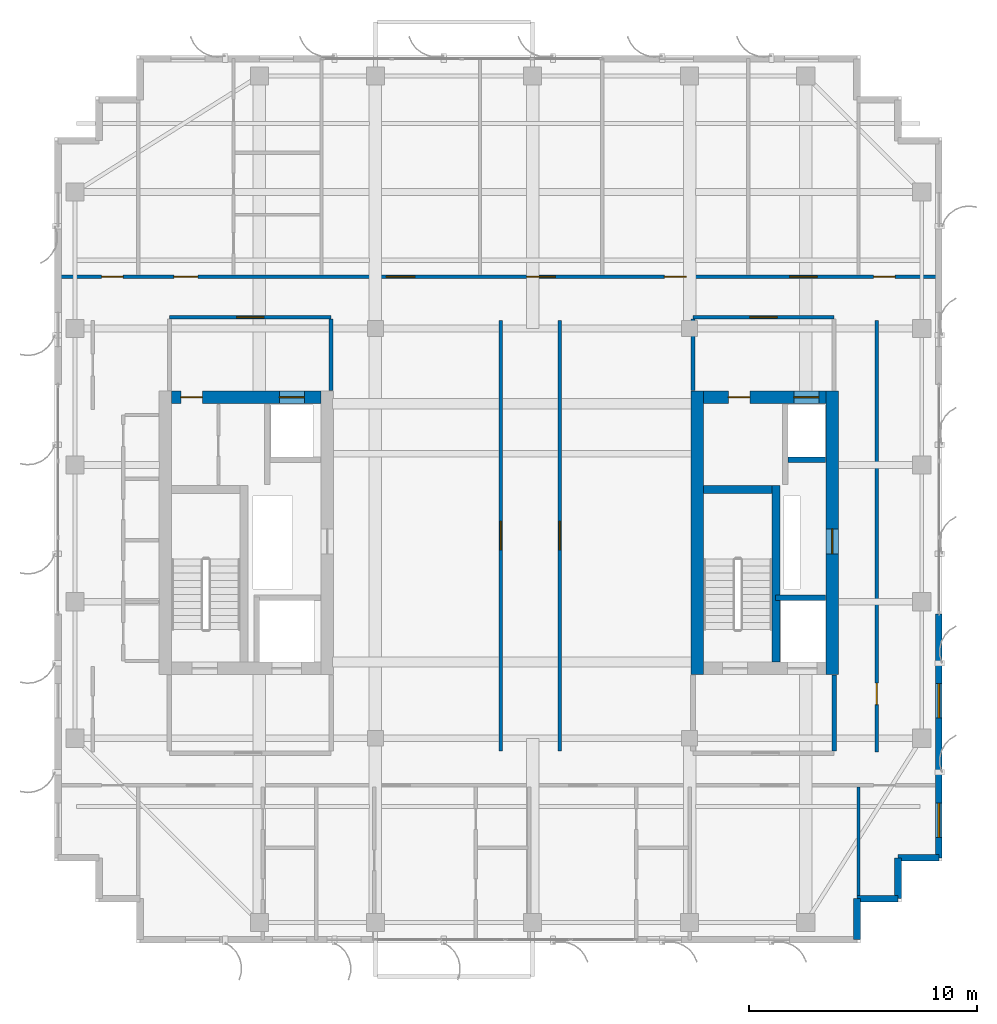
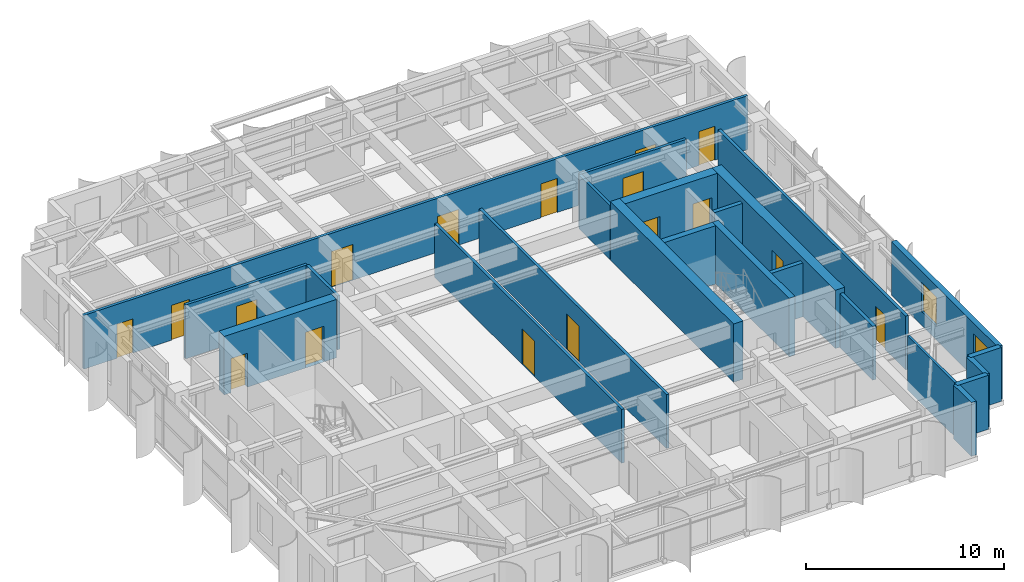
# One storey, part 20 of 23: 23 walls, 17 doors, 2 windows, 19 openings.
"""IFC4 building model written with IfcOpenShell, lengths in metres."""

from ifc_helpers import new_model, si_unit, direction, frame, frame_2d, origin, place, context, subcontext, project, spatial, rectangle, extrude, source, transform, mapped, material, layer, layer_set, type_object, element, fill, save


model = new_model("IFC4")

# Units and contexts
model_context = context("Model", 3, precision=1e-05, world=origin(), true_north=direction((0.0, 1.0)))
body_context = subcontext(model_context, "Body", "Model", "MODEL_VIEW")
ifc_project = project(units=[si_unit("LENGTHUNIT", "METRE"), si_unit("AREAUNIT", "SQUARE_METRE"), si_unit("VOLUMEUNIT", "CUBIC_METRE"), si_unit("PLANEANGLEUNIT", "RADIAN"), si_unit("MASSUNIT", "GRAM", prefix="KILO")], contexts=[model_context])

# Site, building, storey
site_placement = place(None, origin())
site = spatial("IfcSite", under=ifc_project, at=site_placement, CompositionType="ELEMENT")
building_placement = place(site_placement, origin())
building = spatial("IfcBuilding", under=site, at=building_placement, Name="Khoralis Quay Care Tower", CompositionType="ELEMENT")
storey_placement = place(building_placement, frame((0.0, 0.0, 270.89990234375)))
storey = spatial("IfcBuildingStorey", under=building, at=storey_placement, Name="L71", CompositionType="ELEMENT", Elevation=270.89990234375)

# Wall
ifc_material_1 = material(Name="Gypsum plasterboard on acoustic metal stud")
ifc_layer_1 = layer(ifc_material_1, 0.199951171875)
ifc_layer_set_1 = layer_set([ifc_layer_1], Name="Gypsum plasterboard on acoustic metal stud")
wall_type_1 = type_object("IfcWallType", Name="WL-COMP-200", PredefinedType="PARTITIONING", material=ifc_layer_set_1)
wall_1_placement = place(storey_placement, frame((37.25, 11.445068359375, 0.0), z_axis=(0.0, 0.0, 1.0), x_axis=(0.0, 1.0, 0.0)))
element("IfcWall", 1, at=wall_1_placement, inside=storey, type_object=wall_type_1, Name="L71 East Firefighting Lobby East Wall", PredefinedType="PARTITIONING", context=body_context, shape_type="SweptSolid", body=[
    extrude(rectangle(XDim=3.3349609375, YDim=0.199951171875, at=frame_2d((1.66748046875, 0.0))), origin(), (0.0, 0.0, 1.0), 3.320068359375),
])

# Wall, openings, doors
ifc_material_2 = material(Name="Concrete C65/80", Category="concrete")
ifc_layer_2 = layer(ifc_material_2, 0.550048828125)
ifc_layer_set_2 = layer_set([ifc_layer_2], Name="Concrete C65/80")
wall_type_2 = type_object("IfcWallType", Name="WL-CORE-550", PredefinedType="SHEAR", material=ifc_layer_set_2)
wall_2_placement = place(storey_placement, frame((8.14990234375, 26.97509765625, 0.0), z_axis=(0.0, 0.0, 1.0), x_axis=(1.0, 0.0, 0.0)))
wall_2 = element("IfcWall", 2, at=wall_2_placement, inside=storey, type_object=wall_type_2, Name="L71 WCORE North Shear Wall", PredefinedType="SHEAR", context=body_context, shape_type="SweptSolid", body=[
    extrude(rectangle(XDim=6.550048828125, YDim=0.550048828125, at=frame_2d((3.27490234375, 0.0))), origin(), (0.0, 0.0, 1.0), 3.60009765625),
])
opening_1_placement = place(wall_2_placement, frame((0.39990234375, 0.0, 0.0)))
opening_1 = element("IfcOpeningElement", 3, at=opening_1_placement, cuts=wall_2, Name="Opening ID1", PredefinedType="OPENING", context=body_context, shape_type="SweptSolid", body=[
    extrude(rectangle(XDim=0.949951171875, YDim=2.10009765625, at=frame_2d((0.47509765625, 1.050048828125))), frame((0.0, 0.28515625, 0.0), z_axis=(0.0, -1.0, 0.0), x_axis=(1.0, 0.0, 0.0)), (0.0, 0.0, 1.0), 0.570068359375),
])
opening_2_placement = place(wall_2_placement, frame((4.72998046875, 0.0, 0.0)))
opening_2 = element("IfcOpeningElement", 4, at=opening_2_placement, cuts=wall_2, Name="Opening LD1", PredefinedType="OPENING", context=body_context, shape_type="SweptSolid", body=[
    extrude(rectangle(XDim=1.10009765625, YDim=2.199951171875, at=frame_2d((0.550048828125, 1.10009765625))), frame((0.0, 0.28515625, 0.0), z_axis=(0.0, -1.0, 0.0), x_axis=(1.0, 0.0, 0.0)), (0.0, 0.0, 1.0), 0.570068359375),
])
ifc_material_3 = material(Name="Brushed stainless steel", Category="steel")
door_type_1 = type_object("IfcDoorType", Name="DR-LIFT-1100X2200", OperationType="SLIDING_TO_LEFT", PredefinedType="DOOR", material=ifc_material_3)
shared_shape_1 = source(origin(), body_context, "Body", "SweptSolid", [
    extrude(rectangle(XDim=1.10009765625, YDim=2.199951171875, at=frame_2d((0.550048828125, 1.10009765625))), frame((0.0, 0.02490234375, 0.0), z_axis=(0.0, -1.0, 0.0), x_axis=(1.0, 0.0, 0.0)), (0.0, 0.0, 1.0), 0.050048828125),
])
door_1_placement = place(opening_2_placement, origin())
door_1 = element("IfcDoor", 5, at=door_1_placement, inside=storey, type_object=door_type_1, Name="L71 Lift PLH1 Landing Door", OperationType="SLIDING_TO_LEFT", OverallHeight=2.199951171875, OverallWidth=1.10009765625, PredefinedType="DOOR", context=body_context, shape_type="MappedRepresentation", body=[
    mapped(shared_shape_1, transform((0.0, 0.0, 0.0), scale=1.0)),
])
fill(opening_2, door_1)
ifc_material_4 = material(Name="Acoustic hardwood timber", Category="wood")
door_type_2 = type_object("IfcDoorType", Name="DR-ROOM-950X2100", OperationType="NOTDEFINED", PredefinedType="DOOR", material=ifc_material_4)
shared_shape_2 = source(origin(), body_context, "Body", "SweptSolid", [
    extrude(rectangle(XDim=0.949951171875, YDim=2.10009765625, at=frame_2d((0.47509765625, 1.050048828125))), frame((0.0, 0.02490234375, 0.0), z_axis=(0.0, -1.0, 0.0), x_axis=(1.0, 0.0, 0.0)), (0.0, 0.0, 1.0), 0.050048828125),
])
door_2_placement = place(opening_1_placement, frame((0.949951171875, 0.0, 0.0), z_axis=(0.0, 0.0, 1.0), x_axis=(-1.0, 0.0, 0.0)))
door_2 = element("IfcDoor", 6, at=door_2_placement, inside=storey, type_object=door_type_2, Name="L71 Telemetry Study Door", OperationType="SINGLE_SWING_LEFT", OverallHeight=2.10009765625, OverallWidth=0.949951171875, PredefinedType="DOOR", context=body_context, shape_type="MappedRepresentation", body=[
    mapped(shared_shape_2, transform((0.0, 0.0, 0.0), scale=1.0)),
])
fill(opening_1, door_2)

# Wall
wall_3_placement = place(storey_placement, frame((31.2451171875, 14.800048828125, 0.0), z_axis=(0.0, 0.0, 1.0), x_axis=(0.0, 1.0, 0.0)))
element("IfcWall", 7, at=wall_3_placement, inside=storey, type_object=wall_type_2, Name="L71 ECORE West Shear Wall", PredefinedType="SHEAR", context=body_context, shape_type="SweptSolid", body=[
    extrude(rectangle(XDim=12.449951171875, YDim=0.550048828125, at=frame_2d((6.22509765625, 0.0))), origin(), (0.0, 0.0, 1.0), 3.60009765625),
])

# Wall, opening, door
wall_4_placement = place(storey_placement, frame((37.175048828125, 14.800048828125, 0.0), z_axis=(0.0, 0.0, 1.0), x_axis=(0.0, 1.0, 0.0)))
wall_4 = element("IfcWall", 8, at=wall_4_placement, inside=storey, type_object=wall_type_2, Name="L71 ECORE East Shear Wall", PredefinedType="SHEAR", context=body_context, shape_type="SweptSolid", body=[
    extrude(rectangle(XDim=12.449951171875, YDim=0.550048828125, at=frame_2d((6.22509765625, 0.0))), origin(), (0.0, 0.0, 1.0), 3.60009765625),
])
opening_3_placement = place(wall_4_placement, frame((5.300048828125, 0.0, 0.0)))
opening_3 = element("IfcOpeningElement", 9, at=opening_3_placement, cuts=wall_4, Name="Opening SD1", PredefinedType="OPENING", context=body_context, shape_type="SweptSolid", body=[
    extrude(rectangle(XDim=1.10009765625, YDim=2.199951171875, at=frame_2d((0.550048828125, 1.10009765625))), frame((0.0, 0.28515625, 0.0), z_axis=(0.0, -1.0, 0.0), x_axis=(1.0, 0.0, 0.0)), (0.0, 0.0, 1.0), 0.570068359375),
])
ifc_material_5 = material(Name="Fire-rated painted steel", Category="steel")
door_type_3 = type_object("IfcDoorType", Name="DR-STAIR-1100X2200", OperationType="NOTDEFINED", PredefinedType="DOOR", material=ifc_material_5)
shared_shape_3 = source(origin(), body_context, "Body", "SweptSolid", [
    extrude(rectangle(XDim=1.10009765625, YDim=2.199951171875, at=frame_2d((0.550048828125, 1.10009765625))), frame((0.0, 0.02490234375, 0.0), z_axis=(0.0, -1.0, 0.0), x_axis=(1.0, 0.0, 0.0)), (0.0, 0.0, 1.0), 0.050048828125),
])
door_3_placement = place(opening_3_placement, frame((1.10009765625, 0.0, 0.0), z_axis=(0.0, 0.0, 1.0), x_axis=(-1.0, 0.0, 0.0)))
door_3 = element("IfcDoor", 10, at=door_3_placement, inside=storey, type_object=door_type_3, Name="L71 East MEP Riser Door", OperationType="SINGLE_SWING_RIGHT", OverallHeight=2.199951171875, OverallWidth=1.10009765625, PredefinedType="DOOR", context=body_context, shape_type="MappedRepresentation", body=[
    mapped(shared_shape_3, transform((0.0, 0.0, 0.0), scale=1.0)),
])
fill(opening_3, door_3)

# Wall, openings, doors
wall_5_placement = place(storey_placement, frame((31.52001953125, 26.97509765625, 0.0), z_axis=(0.0, 0.0, 1.0), x_axis=(1.0, 0.0, 0.0)))
wall_5 = element("IfcWall", 11, at=wall_5_placement, inside=storey, type_object=wall_type_2, Name="L71 ECORE North Shear Wall", PredefinedType="SHEAR", context=body_context, shape_type="SweptSolid", body=[
    extrude(rectangle(XDim=5.3798828125, YDim=0.550048828125, at=frame_2d((2.68994140625, 0.0))), origin(), (0.0, 0.0, 1.0), 3.60009765625),
])
opening_4_placement = place(wall_5_placement, frame((1.080078125, 0.0, 0.0)))
opening_4 = element("IfcOpeningElement", 12, at=opening_4_placement, cuts=wall_5, Name="Opening ID1", PredefinedType="OPENING", context=body_context, shape_type="SweptSolid", body=[
    extrude(rectangle(XDim=0.949951171875, YDim=2.10009765625, at=frame_2d((0.47509765625, 1.050048828125))), frame((0.0, 0.28515625, 0.0), z_axis=(0.0, -1.0, 0.0), x_axis=(1.0, 0.0, 0.0)), (0.0, 0.0, 1.0), 0.570068359375),
])
opening_5_placement = place(wall_5_placement, frame((3.9599609375, 0.0, 0.0)))
opening_5 = element("IfcOpeningElement", 13, at=opening_5_placement, cuts=wall_5, Name="Opening LD1", PredefinedType="OPENING", context=body_context, shape_type="SweptSolid", body=[
    extrude(rectangle(XDim=1.10009765625, YDim=2.199951171875, at=frame_2d((0.550048828125, 1.10009765625))), frame((0.0, 0.28515625, 0.0), z_axis=(0.0, -1.0, 0.0), x_axis=(1.0, 0.0, 0.0)), (0.0, 0.0, 1.0), 0.570068359375),
])
door_4_placement = place(opening_5_placement, origin())
door_4 = element("IfcDoor", 14, at=door_4_placement, inside=storey, type_object=door_type_1, Name="L71 Lift PLH2 Landing Door", OperationType="SLIDING_TO_LEFT", OverallHeight=2.199951171875, OverallWidth=1.10009765625, PredefinedType="DOOR", context=body_context, shape_type="MappedRepresentation", body=[
    mapped(shared_shape_1, transform((0.0, 0.0, 0.0), scale=1.0)),
])
fill(opening_5, door_4)
door_5_placement = place(opening_4_placement, frame((0.949951171875, 0.0, 0.0), z_axis=(0.0, 0.0, 1.0), x_axis=(-1.0, 0.0, 0.0)))
door_5 = element("IfcDoor", 15, at=door_5_placement, inside=storey, type_object=door_type_2, Name="L71 Rehab Gym Door", OperationType="SINGLE_SWING_RIGHT", OverallHeight=2.10009765625, OverallWidth=0.949951171875, PredefinedType="DOOR", context=body_context, shape_type="MappedRepresentation", body=[
    mapped(shared_shape_2, transform((0.0, 0.0, 0.0), scale=1.0)),
])
fill(opening_4, door_5)

# Wall, opening, door
ifc_layer_3 = layer(ifc_material_1, 0.1650390625)
ifc_layer_set_3 = layer_set([ifc_layer_3], Name="Gypsum plasterboard on acoustic metal stud")
wall_type_3 = type_object("IfcWallType", Name="WL-CORR-165", PredefinedType="PARTITIONING", material=ifc_layer_set_3)
wall_6_placement = place(storey_placement, frame((8.050048828125, 30.5, 0.0), z_axis=(0.0, 0.0, 1.0), x_axis=(1.0, 0.0, 0.0)))
wall_6 = element("IfcWall", 16, at=wall_6_placement, inside=storey, type_object=wall_type_3, Name="L71 West Lift Lobby North Wall", PredefinedType="PARTITIONING", context=body_context, shape_type="SweptSolid", body=[
    extrude(rectangle(XDim=7.099853515625, YDim=0.1650390625, at=frame_2d((3.5498046875, 0.0))), origin(), (0.0, 0.0, 1.0), 3.320068359375),
])
opening_6_placement = place(wall_6_placement, frame((2.949951171875, 0.0, 0.0)))
opening_6 = element("IfcOpeningElement", 17, at=opening_6_placement, cuts=wall_6, Name="Opening FD1", PredefinedType="OPENING", context=body_context, shape_type="SweptSolid", body=[
    extrude(rectangle(XDim=1.199951171875, YDim=2.199951171875, at=frame_2d((0.60009765625, 1.10009765625))), frame((0.0, 0.092529296875, 0.0), z_axis=(0.0, -1.0, 0.0), x_axis=(1.0, 0.0, 0.0)), (0.0, 0.0, 1.0), 0.18505859375),
])
door_type_4 = type_object("IfcDoorType", Name="DR-FFL-1200X2200", OperationType="NOTDEFINED", PredefinedType="DOOR", material=ifc_material_5)
shared_shape_4 = source(origin(), body_context, "Body", "SweptSolid", [
    extrude(rectangle(XDim=1.199951171875, YDim=2.199951171875, at=frame_2d((0.60009765625, 1.10009765625))), frame((0.0, 0.02490234375, 0.0), z_axis=(0.0, -1.0, 0.0), x_axis=(1.0, 0.0, 0.0)), (0.0, 0.0, 1.0), 0.050048828125),
])
door_6_placement = place(opening_6_placement, origin())
door_6 = element("IfcDoor", 18, at=door_6_placement, inside=storey, type_object=door_type_4, Name="L71 West Lift Lobby Double Door", OperationType="DOUBLE_DOOR_SINGLE_SWING", OverallHeight=2.199951171875, OverallWidth=1.199951171875, PredefinedType="DOOR", context=body_context, shape_type="MappedRepresentation", body=[
    mapped(shared_shape_4, transform((0.0, 0.0, 0.0), scale=1.0)),
])
fill(opening_6, door_6)

# Wall
wall_7_placement = place(storey_placement, frame((15.14990234375, 27.27001953125, 0.0), z_axis=(0.0, 0.0, 1.0), x_axis=(0.0, 1.0, 0.0)))
element("IfcWall", 19, at=wall_7_placement, inside=storey, type_object=wall_type_3, Name="L71 West Lift Lobby East Wall", PredefinedType="PARTITIONING", context=body_context, shape_type="SweptSolid", body=[
    extrude(rectangle(XDim=3.152587890625, YDim=0.1650390625, at=frame_2d((1.576171875, 0.0))), origin(), (0.0, 0.0, 1.0), 3.320068359375),
])

# Wall, opening, door
wall_8_placement = place(storey_placement, frame((31.050048828125, 30.5, 0.0), z_axis=(0.0, 0.0, 1.0), x_axis=(1.0, 0.0, 0.0)))
wall_8 = element("IfcWall", 20, at=wall_8_placement, inside=storey, type_object=wall_type_3, Name="L71 East Lift Lobby North Wall", PredefinedType="PARTITIONING", context=body_context, shape_type="SweptSolid", body=[
    extrude(rectangle(XDim=6.199951171875, YDim=0.1650390625, at=frame_2d((3.10009765625, 0.0))), origin(), (0.0, 0.0, 1.0), 3.320068359375),
])
opening_7_placement = place(wall_8_placement, frame((2.5, 0.0, 0.0)))
opening_7 = element("IfcOpeningElement", 21, at=opening_7_placement, cuts=wall_8, Name="Opening FD1", PredefinedType="OPENING", context=body_context, shape_type="SweptSolid", body=[
    extrude(rectangle(XDim=1.199951171875, YDim=2.199951171875, at=frame_2d((0.60009765625, 1.10009765625))), frame((0.0, 0.092529296875, 0.0), z_axis=(0.0, -1.0, 0.0), x_axis=(1.0, 0.0, 0.0)), (0.0, 0.0, 1.0), 0.18505859375),
])
door_7_placement = place(opening_7_placement, origin())
door_7 = element("IfcDoor", 22, at=door_7_placement, inside=storey, type_object=door_type_4, Name="L71 East Lift Lobby Double Door", OperationType="DOUBLE_DOOR_SINGLE_SWING", OverallHeight=2.199951171875, OverallWidth=1.199951171875, PredefinedType="DOOR", context=body_context, shape_type="MappedRepresentation", body=[
    mapped(shared_shape_4, transform((0.0, 0.0, 0.0), scale=1.0)),
])
fill(opening_7, door_7)

# Wall
wall_9_placement = place(storey_placement, frame((31.050048828125, 27.27001953125, 0.0), z_axis=(0.0, 0.0, 1.0), x_axis=(0.0, 1.0, 0.0)))
element("IfcWall", 23, at=wall_9_placement, inside=storey, type_object=wall_type_3, Name="L71 East Lift Lobby West Wall", PredefinedType="PARTITIONING", context=body_context, shape_type="SweptSolid", body=[
    extrude(rectangle(XDim=3.152587890625, YDim=0.1650390625, at=frame_2d((1.576171875, 0.0))), origin(), (0.0, 0.0, 1.0), 3.320068359375),
])

# Wall, openings, doors
wall_10_placement = place(storey_placement, frame((3.14501953125, 32.280029296875, 0.0), z_axis=(0.0, 0.0, 1.0), x_axis=(1.0, 0.0, 0.0)))
wall_10 = element("IfcWall", 24, at=wall_10_placement, inside=storey, type_object=wall_type_3, Name="L71 North Main Corridor Wall", PredefinedType="PARTITIONING", context=body_context, shape_type="SweptSolid", body=[
    extrude(rectangle(XDim=38.7099609375, YDim=0.1650390625, at=frame_2d((19.35498046875, 0.0))), origin(), (0.0, 0.0, 1.0), 3.320068359375),
])
opening_8_placement = place(wall_10_placement, frame((5.10302734375, 0.0, 0.0)))
opening_8 = element("IfcOpeningElement", 25, at=opening_8_placement, cuts=wall_10, Name="Opening UD1", PredefinedType="OPENING", context=body_context, shape_type="SweptSolid", body=[
    extrude(rectangle(XDim=1.050048828125, YDim=2.14990234375, at=frame_2d((0.52490234375, 1.074951171875))), frame((0.0, 0.092529296875, 0.0), z_axis=(0.0, -1.0, 0.0), x_axis=(1.0, 0.0, 0.0)), (0.0, 0.0, 1.0), 0.18505859375),
])
opening_9_placement = place(wall_10_placement, frame((14.43994140625, 0.0, 0.0)))
opening_9 = element("IfcOpeningElement", 26, at=opening_9_placement, cuts=wall_10, Name="Opening CD1", PredefinedType="OPENING", context=body_context, shape_type="SweptSolid", body=[
    extrude(rectangle(XDim=1.25, YDim=2.199951171875, at=frame_2d((0.625, 1.10009765625))), frame((0.0, 0.092529296875, 0.0), z_axis=(0.0, -1.0, 0.0), x_axis=(1.0, 0.0, 0.0)), (0.0, 0.0, 1.0), 0.18505859375),
])
opening_10_placement = place(wall_10_placement, frame((20.60498046875, 0.0, 0.0)))
opening_10 = element("IfcOpeningElement", 27, at=opening_10_placement, cuts=wall_10, Name="Opening CD1", PredefinedType="OPENING", context=body_context, shape_type="SweptSolid", body=[
    extrude(rectangle(XDim=1.25, YDim=2.199951171875, at=frame_2d((0.625, 1.10009765625))), frame((0.0, 0.092529296875, 0.0), z_axis=(0.0, -1.0, 0.0), x_axis=(1.0, 0.0, 0.0)), (0.0, 0.0, 1.0), 0.18505859375),
])
opening_11_placement = place(wall_10_placement, frame((26.64990234375, 0.0, 0.0)))
opening_11 = element("IfcOpeningElement", 28, at=opening_11_placement, cuts=wall_10, Name="Opening ID1", PredefinedType="OPENING", context=body_context, shape_type="SweptSolid", body=[
    extrude(rectangle(XDim=0.949951171875, YDim=2.10009765625, at=frame_2d((0.47509765625, 1.050048828125))), frame((0.0, 0.092529296875, 0.0), z_axis=(0.0, -1.0, 0.0), x_axis=(1.0, 0.0, 0.0)), (0.0, 0.0, 1.0), 0.18505859375),
])
opening_12_placement = place(wall_10_placement, frame((32.155029296875, 0.0, 0.0)))
opening_12 = element("IfcOpeningElement", 29, at=opening_12_placement, cuts=wall_10, Name="Opening FD1", PredefinedType="OPENING", context=body_context, shape_type="SweptSolid", body=[
    extrude(rectangle(XDim=1.199951171875, YDim=2.199951171875, at=frame_2d((0.60009765625, 1.10009765625))), frame((0.0, 0.092529296875, 0.0), z_axis=(0.0, -1.0, 0.0), x_axis=(1.0, 0.0, 0.0)), (0.0, 0.0, 1.0), 0.18505859375),
])
opening_13_placement = place(wall_10_placement, frame((1.919921875, 0.0, 0.0)))
opening_13 = element("IfcOpeningElement", 30, at=opening_13_placement, cuts=wall_10, Name="Opening ID1", PredefinedType="OPENING", context=body_context, shape_type="SweptSolid", body=[
    extrude(rectangle(XDim=0.949951171875, YDim=2.10009765625, at=frame_2d((0.47509765625, 1.050048828125))), frame((0.0, 0.092529296875, 0.0), z_axis=(0.0, -1.0, 0.0), x_axis=(1.0, 0.0, 0.0)), (0.0, 0.0, 1.0), 0.18505859375),
])
opening_14_placement = place(wall_10_placement, frame((35.840087890625, 0.0, 0.0)))
opening_14 = element("IfcOpeningElement", 31, at=opening_14_placement, cuts=wall_10, Name="Opening ID1", PredefinedType="OPENING", context=body_context, shape_type="SweptSolid", body=[
    extrude(rectangle(XDim=0.949951171875, YDim=2.10009765625, at=frame_2d((0.47509765625, 1.050048828125))), frame((0.0, 0.092529296875, 0.0), z_axis=(0.0, -1.0, 0.0), x_axis=(1.0, 0.0, 0.0)), (0.0, 0.0, 1.0), 0.18505859375),
])
door_8_placement = place(opening_12_placement, origin())
door_8 = element("IfcDoor", 32, at=door_8_placement, inside=storey, type_object=door_type_4, Name="L71 Resident Communal Day Lounge Door", OperationType="DOUBLE_DOOR_SINGLE_SWING", OverallHeight=2.199951171875, OverallWidth=1.199951171875, PredefinedType="DOOR", context=body_context, shape_type="MappedRepresentation", body=[
    mapped(shared_shape_4, transform((0.0, 0.0, 0.0), scale=1.0)),
])
fill(opening_12, door_8)
door_type_5 = type_object("IfcDoorType", Name="DR-CARE-1250X2200", OperationType="NOTDEFINED", PredefinedType="DOOR", material=ifc_material_4)
shared_shape_5 = source(origin(), body_context, "Body", "SweptSolid", [
    extrude(rectangle(XDim=1.25, YDim=2.199951171875, at=frame_2d((0.625, 1.10009765625))), frame((0.0, 0.02490234375, 0.0), z_axis=(0.0, -1.0, 0.0), x_axis=(1.0, 0.0, 0.0)), (0.0, 0.0, 1.0), 0.050048828125),
])
door_9_placement = place(opening_9_placement, origin())
door_9 = element("IfcDoor", 33, at=door_9_placement, inside=storey, type_object=door_type_5, Name="L71 Geriatric Consultation Clinic Door", OperationType="SINGLE_SWING_RIGHT", OverallHeight=2.199951171875, OverallWidth=1.25, PredefinedType="DOOR", context=body_context, shape_type="MappedRepresentation", body=[
    mapped(shared_shape_5, transform((0.0, 0.0, 0.0), scale=1.0)),
])
fill(opening_9, door_9)
door_10_placement = place(opening_10_placement, origin())
door_10 = element("IfcDoor", 34, at=door_10_placement, inside=storey, type_object=door_type_5, Name="L71 Physiotherapy Treatment Clinic Door", OperationType="SINGLE_SWING_LEFT", OverallHeight=2.199951171875, OverallWidth=1.25, PredefinedType="DOOR", context=body_context, shape_type="MappedRepresentation", body=[
    mapped(shared_shape_5, transform((0.0, 0.0, 0.0), scale=1.0)),
])
fill(opening_10, door_10)
door_11_placement = place(opening_11_placement, origin())
door_11 = element("IfcDoor", 35, at=door_11_placement, inside=storey, type_object=door_type_2, Name="L71 Care Coordination Office Door", OperationType="SINGLE_SWING_LEFT", OverallHeight=2.10009765625, OverallWidth=0.949951171875, PredefinedType="DOOR", context=body_context, shape_type="MappedRepresentation", body=[
    mapped(shared_shape_2, transform((0.0, 0.0, 0.0), scale=1.0)),
])
fill(opening_11, door_11)
door_12_placement = place(opening_13_placement, origin())
door_12 = element("IfcDoor", 36, at=door_12_placement, inside=storey, type_object=door_type_2, Name="L71 NW Corner Door", OperationType="SINGLE_SWING_RIGHT", OverallHeight=2.10009765625, OverallWidth=0.949951171875, PredefinedType="DOOR", context=body_context, shape_type="MappedRepresentation", body=[
    mapped(shared_shape_2, transform((0.0, 0.0, 0.0), scale=1.0)),
])
fill(opening_13, door_12)
door_13_placement = place(opening_14_placement, origin())
door_13 = element("IfcDoor", 37, at=door_13_placement, inside=storey, type_object=door_type_2, Name="L71 NE Corner Door", OperationType="SINGLE_SWING_LEFT", OverallHeight=2.10009765625, OverallWidth=0.949951171875, PredefinedType="DOOR", context=body_context, shape_type="MappedRepresentation", body=[
    mapped(shared_shape_2, transform((0.0, 0.0, 0.0), scale=1.0)),
])
fill(opening_14, door_13)
door_type_6 = type_object("IfcDoorType", Name="DR-SUITE-1050X2150", OperationType="NOTDEFINED", PredefinedType="DOOR", material=ifc_material_4)
shared_shape_6 = source(origin(), body_context, "Body", "SweptSolid", [
    extrude(rectangle(XDim=1.050048828125, YDim=2.14990234375, at=frame_2d((0.52490234375, 1.074951171875))), frame((0.0, 0.02490234375, 0.0), z_axis=(0.0, -1.0, 0.0), x_axis=(1.0, 0.0, 0.0)), (0.0, 0.0, 1.0), 0.050048828125),
])
door_14_placement = place(opening_8_placement, origin())
door_14 = element("IfcDoor", 38, at=door_14_placement, inside=storey, type_object=door_type_6, Name="L71 Apartment NB0 Entrance Door", OperationType="SINGLE_SWING_LEFT", OverallHeight=2.14990234375, OverallWidth=1.050048828125, PredefinedType="DOOR", context=body_context, shape_type="MappedRepresentation", body=[
    mapped(shared_shape_6, transform((0.0, 0.0, 0.0), scale=1.0)),
])
fill(opening_8, door_14)

# Wall, opening, door
wall_11_placement = place(storey_placement, frame((22.60009765625, 11.449951171875, 0.0), z_axis=(0.0, 0.0, 1.0), x_axis=(0.0, 1.0, 0.0)))
wall_11 = element("IfcWall", 39, at=wall_11_placement, inside=storey, type_object=wall_type_3, Name="L71 Central Gallery West Wall", PredefinedType="PARTITIONING", context=body_context, shape_type="SweptSolid", body=[
    extrude(rectangle(XDim=18.900146484375, YDim=0.1650390625, at=frame_2d((9.4501953125, 0.0))), origin(), (0.0, 0.0, 1.0), 3.320068359375),
])
opening_15_placement = place(wall_11_placement, frame((8.824951171875, 0.0, 0.0)))
opening_15 = element("IfcOpeningElement", 40, at=opening_15_placement, cuts=wall_11, Name="Opening CD1", PredefinedType="OPENING", context=body_context, shape_type="SweptSolid", body=[
    extrude(rectangle(XDim=1.25, YDim=2.199951171875, at=frame_2d((0.625, 1.10009765625))), frame((0.0, 0.092529296875, 0.0), z_axis=(0.0, -1.0, 0.0), x_axis=(1.0, 0.0, 0.0)), (0.0, 0.0, 1.0), 0.18505859375),
])
door_15_placement = place(opening_15_placement, frame((1.25, 0.0, 0.0), z_axis=(0.0, 0.0, 1.0), x_axis=(-1.0, 0.0, 0.0)))
door_15 = element("IfcDoor", 41, at=door_15_placement, inside=storey, type_object=door_type_5, Name="L71 Penthouse Clinic Door", OperationType="SINGLE_SWING_LEFT", OverallHeight=2.199951171875, OverallWidth=1.25, PredefinedType="DOOR", context=body_context, shape_type="MappedRepresentation", body=[
    mapped(shared_shape_5, transform((0.0, 0.0, 0.0), scale=1.0)),
])
fill(opening_15, door_15)

wall_12_placement = place(storey_placement, frame((25.199951171875, 11.449951171875, 0.0), z_axis=(0.0, 0.0, 1.0), x_axis=(0.0, 1.0, 0.0)))
wall_12 = element("IfcWall", 42, at=wall_12_placement, inside=storey, type_object=wall_type_3, Name="L71 Central Gallery East Wall", PredefinedType="PARTITIONING", context=body_context, shape_type="SweptSolid", body=[
    extrude(rectangle(XDim=18.900146484375, YDim=0.1650390625, at=frame_2d((9.4501953125, 0.0))), origin(), (0.0, 0.0, 1.0), 3.320068359375),
])
opening_16_placement = place(wall_12_placement, frame((8.824951171875, 0.0, 0.0)))
opening_16 = element("IfcOpeningElement", 43, at=opening_16_placement, cuts=wall_12, Name="Opening CD1", PredefinedType="OPENING", context=body_context, shape_type="SweptSolid", body=[
    extrude(rectangle(XDim=1.25, YDim=2.199951171875, at=frame_2d((0.625, 1.10009765625))), frame((0.0, 0.092529296875, 0.0), z_axis=(0.0, -1.0, 0.0), x_axis=(1.0, 0.0, 0.0)), (0.0, 0.0, 1.0), 0.18505859375),
])
door_16_placement = place(opening_16_placement, origin())
door_16 = element("IfcDoor", 44, at=door_16_placement, inside=storey, type_object=door_type_5, Name="L71 Penthouse Lounge Door", OperationType="SINGLE_SWING_RIGHT", OverallHeight=2.199951171875, OverallWidth=1.25, PredefinedType="DOOR", context=body_context, shape_type="MappedRepresentation", body=[
    mapped(shared_shape_5, transform((0.0, 0.0, 0.0), scale=1.0)),
])
fill(opening_16, door_16)

wall_13_placement = place(storey_placement, frame((39.1201171875, 11.39990234375, 0.0), z_axis=(0.0, 0.0, 1.0), x_axis=(0.0, 1.0, 0.0)))
wall_13 = element("IfcWall", 45, at=wall_13_placement, inside=storey, type_object=wall_type_3, Name="L71 East Sky Suite Wall", PredefinedType="PARTITIONING", context=body_context, shape_type="SweptSolid", body=[
    extrude(rectangle(XDim=18.9501953125, YDim=0.1650390625, at=frame_2d((9.47509765625, 0.0))), origin(), (0.0, 0.0, 1.0), 3.320068359375),
])
opening_17_placement = place(wall_13_placement, frame((2.074951171875, 0.0, 0.0)))
opening_17 = element("IfcOpeningElement", 46, at=opening_17_placement, cuts=wall_13, Name="Opening ID1", PredefinedType="OPENING", context=body_context, shape_type="SweptSolid", body=[
    extrude(rectangle(XDim=0.949951171875, YDim=2.10009765625, at=frame_2d((0.47509765625, 1.050048828125))), frame((0.0, 0.092529296875, 0.0), z_axis=(0.0, -1.0, 0.0), x_axis=(1.0, 0.0, 0.0)), (0.0, 0.0, 1.0), 0.18505859375),
])
door_17_placement = place(opening_17_placement, origin())
door_17 = element("IfcDoor", 47, at=door_17_placement, inside=storey, type_object=door_type_2, Name="L71 East Suite Door", OperationType="SINGLE_SWING_RIGHT", OverallHeight=2.10009765625, OverallWidth=0.949951171875, PredefinedType="DOOR", context=body_context, shape_type="MappedRepresentation", body=[
    mapped(shared_shape_2, transform((0.0, 0.0, 0.0), scale=1.0)),
])
fill(opening_17, door_17)

# Walls
ifc_material_6 = material(Name="Precast concrete C45/55", Category="concrete")
ifc_layer_4 = layer(ifc_material_6, 0.300048828125)
ifc_layer_set_4 = layer_set([ifc_layer_4], Name="Precast concrete C45/55")
wall_type_4 = type_object("IfcWallType", Name="WL-EXT-REF-300", PredefinedType="SOLIDWALL", material=ifc_layer_set_4)
for number, where, z_axis, x_axis, name in (
    (48, (38.25, 3.14990234375, 0.0), (0.0, 0.0, 1.0), (0.0, 1.0, 0.0), "L71 External Facade Wall WL-EXT-L71-P1-C1"),
    (49, (38.25, 4.949951171875, 0.0), (0.0, 0.0, 1.0), (1.0, 0.0, 0.0), "L71 External Facade Wall WL-EXT-L71-P1-C2"),
    (50, (40.050048828125, 4.949951171875, 0.0), (0.0, 0.0, 1.0), (0.0, 1.0, 0.0), "L71 External Facade Wall WL-EXT-L71-P1-C3"),
    (51, (40.050048828125, 6.75, 0.0), (0.0, 0.0, 1.0), (1.0, 0.0, 0.0), "L71 External Facade Wall WL-EXT-L71-P1-C4"),
):
    element("IfcWall", number, at=place(storey_placement, frame(where, z_axis=z_axis, x_axis=x_axis)), inside=storey, type_object=wall_type_4, Name=name, PredefinedType="SOLIDWALL", context=body_context, shape_type="SweptSolid", body=[
        extrude(rectangle(XDim=1.800048828125, YDim=0.300048828125, at=frame_2d((0.89990234375, 0.0))), origin(), (0.0, 0.0, 1.0), 3.320068359375),
    ])

# Wall, openings, windows
wall_14_placement = place(storey_placement, frame((41.85009765625, 6.75, 0.0), z_axis=(0.0, 0.0, 1.0), x_axis=(0.0, 1.0, 0.0)))
wall_14 = element("IfcWall", 52, at=wall_14_placement, inside=storey, type_object=wall_type_4, Name="L71 External Facade Wall WL-EXT-L71-P1-E5A", PredefinedType="SOLIDWALL", context=body_context, shape_type="SweptSolid", body=[
    extrude(rectangle(XDim=10.7099609375, YDim=0.300048828125, at=frame_2d((5.35498046875, 0.0))), origin(), (0.0, 0.0, 1.0), 3.320068359375),
])
opening_18_placement = place(wall_14_placement, frame((0.89501953125, 0.0, 0.85009765625)))
opening_18 = element("IfcOpeningElement", 53, at=opening_18_placement, cuts=wall_14, Name="Opening W3", PredefinedType="OPENING", context=body_context, shape_type="SweptSolid", body=[
    extrude(rectangle(XDim=1.5, YDim=1.800048828125, at=frame_2d((0.75, 0.89990234375))), frame((0.0, 0.16015625, 0.0), z_axis=(0.0, -1.0, 0.0), x_axis=(1.0, 0.0, 0.0)), (0.0, 0.0, 1.0), 0.320068359375),
])
opening_19_placement = place(wall_14_placement, frame((6.14990234375, 0.0, 0.85009765625)))
opening_19 = element("IfcOpeningElement", 54, at=opening_19_placement, cuts=wall_14, Name="Opening W3", PredefinedType="OPENING", context=body_context, shape_type="SweptSolid", body=[
    extrude(rectangle(XDim=1.5, YDim=1.800048828125, at=frame_2d((0.75, 0.89990234375))), frame((0.0, 0.16015625, 0.0), z_axis=(0.0, -1.0, 0.0), x_axis=(1.0, 0.0, 0.0)), (0.0, 0.0, 1.0), 0.320068359375),
])
ifc_material_7 = material(Name="Low-E solar-control double glazing", Category="glass")
window_type = type_object("IfcWindowType", Name="WN-CLIN-1500X1800", PartitioningType="SINGLE_PANEL", PredefinedType="WINDOW", material=ifc_material_7)
shared_shape_7 = source(origin(), body_context, "Body", "SweptSolid", [
    extrude(rectangle(XDim=1.5, YDim=1.800048828125, at=frame_2d((0.75, 0.89990234375))), frame((0.0, 0.030029296875, 0.0), z_axis=(0.0, -1.0, 0.0), x_axis=(1.0, 0.0, 0.0)), (0.0, 0.0, 1.0), 0.06005859375),
])
window_1_placement = place(opening_18_placement, origin())
window_1 = element("IfcWindow", 55, at=window_1_placement, inside=storey, type_object=window_type, Name="WN-L71-P1-E5A Facade Window 01", OverallHeight=1.800048828125, OverallWidth=1.5, PartitioningType="SINGLE_PANEL", PredefinedType="WINDOW", context=body_context, shape_type="MappedRepresentation", body=[
    mapped(shared_shape_7, transform((0.0, 0.0, 0.0), scale=1.0)),
])
fill(opening_18, window_1)
window_2_placement = place(opening_19_placement, origin())
window_2 = element("IfcWindow", 56, at=window_2_placement, inside=storey, type_object=window_type, Name="WN-L71-P1-E5A Facade Window 02", OverallHeight=1.800048828125, OverallWidth=1.5, PartitioningType="SINGLE_PANEL", PredefinedType="WINDOW", context=body_context, shape_type="MappedRepresentation", body=[
    mapped(shared_shape_7, transform((0.0, 0.0, 0.0), scale=1.0)),
])
fill(opening_19, window_2)

# Walls
ifc_material_8 = material(Name="Concrete C40/50", Category="concrete")
ifc_layer_5 = layer(ifc_material_8, 0.35009765625)
ifc_layer_set_5 = layer_set([ifc_layer_5], Name="Concrete C40/50")
wall_type_5 = type_object("IfcWallType", Name="WL-SC-CORE-350", PredefinedType="SHEAR", material=ifc_layer_set_5)
wall_15_placement = place(storey_placement, frame((34.695068359375, 15.35009765625, 0.0), z_axis=(0.0, 0.0, 1.0), x_axis=(0.0, 1.0, 0.0)))
element("IfcWall", 57, at=wall_15_placement, inside=storey, type_object=wall_type_5, Name="L71 Stair ST-T2 Shear Baffle Wall East", PredefinedType="SHEAR", context=body_context, shape_type="SweptSolid", body=[
    extrude(rectangle(XDim=7.75, YDim=0.35009765625, at=frame_2d((3.875, 0.0))), origin(), (0.0, 0.0, 1.0), 3.60009765625),
])
wall_16_placement = place(storey_placement, frame((31.52001953125, 22.925048828125, 0.0), z_axis=(0.0, 0.0, 1.0), x_axis=(1.0, 0.0, 0.0)))
element("IfcWall", 58, at=wall_16_placement, inside=storey, type_object=wall_type_5, Name="L71 Stair ST-T2 Shear Baffle Wall North", PredefinedType="SHEAR", context=body_context, shape_type="SweptSolid", body=[
    extrude(rectangle(XDim=3.0, YDim=0.35009765625, at=frame_2d((1.5, 0.0))), origin(), (0.0, 0.0, 1.0), 3.60009765625),
])
ifc_layer_6 = layer(ifc_material_1, 0.239990234375)
ifc_layer_set_6 = layer_set([ifc_layer_6], Name="Gypsum plasterboard on acoustic metal stud")
wall_type_6 = type_object("IfcWallType", Name="WL-SHAFT-240", PredefinedType="PARTITIONING", material=ifc_layer_set_6)
wall_17_placement = place(storey_placement, frame((34.679931640625, 18.169921875, 0.0), z_axis=(0.0, 0.0, 1.0), x_axis=(1.0, 0.0, 0.0)))
element("IfcWall", 59, at=wall_17_placement, inside=storey, type_object=wall_type_6, Name="L71 FFL-2 Shaft Wall North", PredefinedType="PARTITIONING", context=body_context, shape_type="SweptSolid", body=[
    extrude(rectangle(XDim=2.199951171875, YDim=0.239990234375, at=frame_2d((1.10009765625, 0.0))), origin(), (0.0, 0.0, 1.0), 3.320068359375),
])
wall_18_placement = place(storey_placement, frame((35.22509765625, 24.22998046875, 0.0), z_axis=(0.0, 0.0, 1.0), x_axis=(1.0, 0.0, 0.0)))
element("IfcWall", 60, at=wall_18_placement, inside=storey, type_object=wall_type_6, Name="L71 High-Rise Shaft South Wall East", PredefinedType="PARTITIONING", context=body_context, shape_type="SweptSolid", body=[
    extrude(rectangle(XDim=1.65478515625, YDim=0.239990234375, at=frame_2d((0.827392578125, 0.0))), origin(), (0.0, 0.0, 1.0), 3.320068359375),
])
ifc_layer_7 = layer(ifc_material_1, 0.139892578125)
ifc_layer_set_7 = layer_set([ifc_layer_7], Name="Gypsum plasterboard on acoustic metal stud")
wall_type_7 = type_object("IfcWallType", Name="WL-UNIT-140", PredefinedType="PARTITIONING", material=ifc_layer_set_7)
wall_19_placement = place(storey_placement, frame((38.320068359375, 4.945068359375, 0.0), z_axis=(0.0, 0.0, 1.0), x_axis=(0.0, 1.0, 0.0)))
element("IfcWall", 61, at=wall_19_placement, inside=storey, type_object=wall_type_7, Name="L71 SB Demising Wall 4", PredefinedType="PARTITIONING", context=body_context, shape_type="SweptSolid", body=[
    extrude(rectangle(XDim=4.91748046875, YDim=0.139892578125, at=frame_2d((2.458740234375, 0.0))), origin(), (0.0, 0.0, 1.0), 3.320068359375),
])

save(model, "model.ifc")
